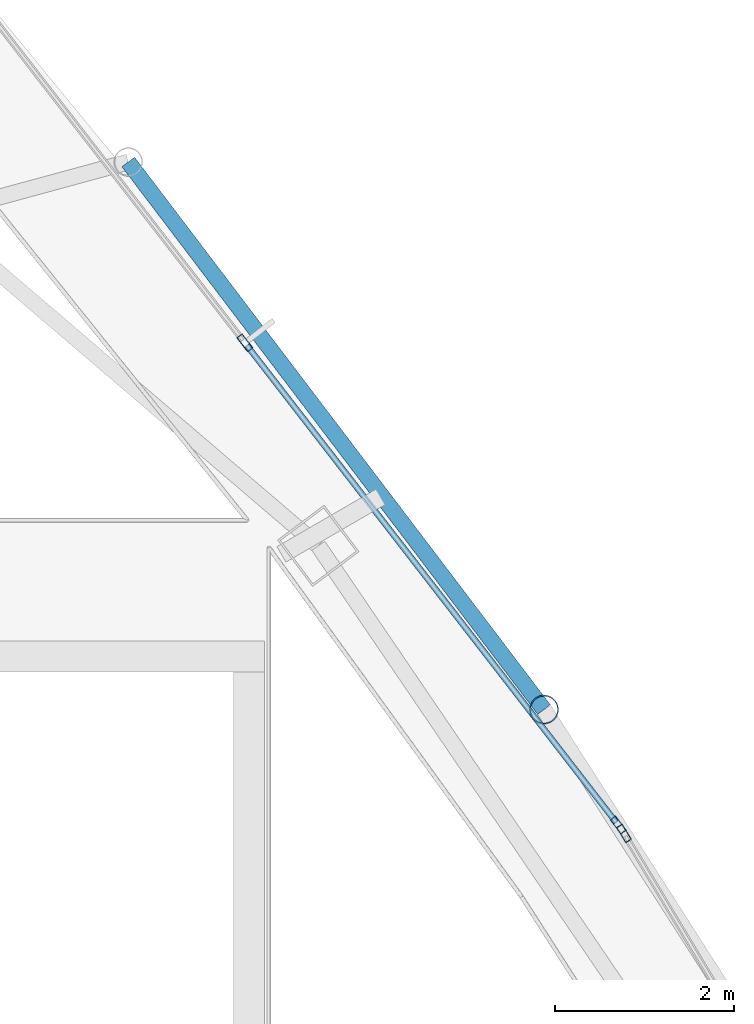
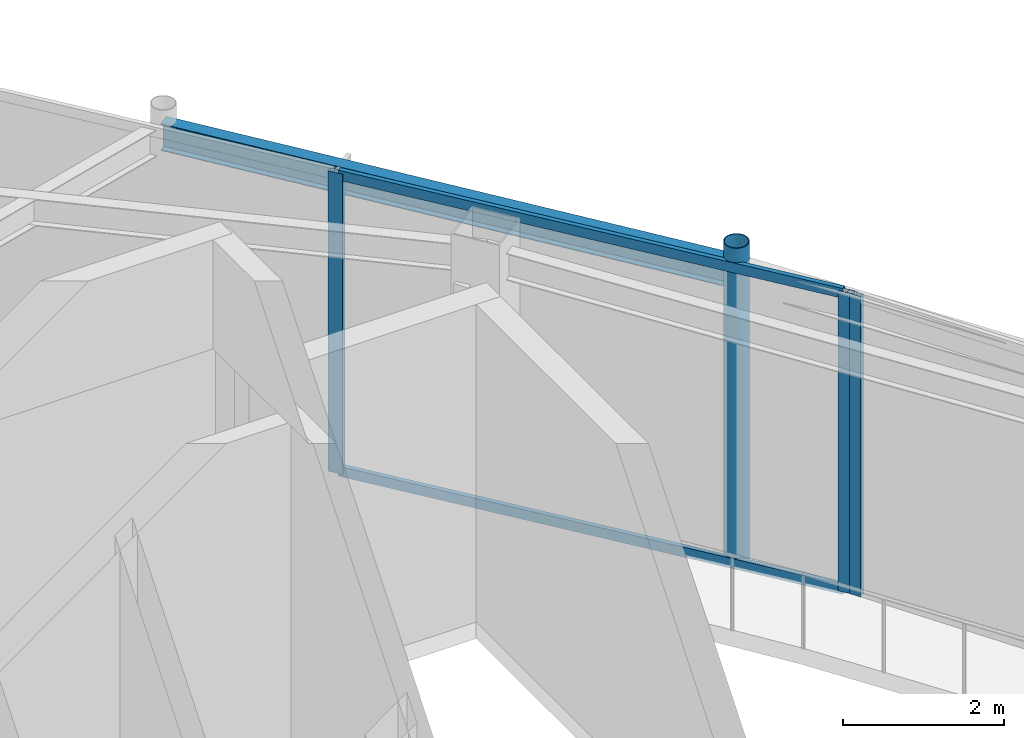
# One storey, part 10 of 18: 6 members, 1 beam, 2 elements without a shape of their own.
"""IFC4 building model written with IfcOpenShell, lengths in metres."""

from ifc_helpers import new_model, si_unit, direction, frame, origin, origin_2d, place, context, subcontext, project, spatial, hollow_rectangle, hollow_circle, i_section, extrude, material, layer, layer_set, material_profile, profile_set, type_object, element, aggregate, save


model = new_model("IFC4")

# Units and contexts
model_context = context("Model", 3, precision=1e-05, world=origin(), true_north=direction((0.0, 1.0)))
body_context = subcontext(model_context, "Body", "Model", "MODEL_VIEW")
ifc_project = project(units=[si_unit("LENGTHUNIT", "METRE"), si_unit("AREAUNIT", "SQUARE_METRE"), si_unit("VOLUMEUNIT", "CUBIC_METRE"), si_unit("PLANEANGLEUNIT", "RADIAN"), si_unit("MASSUNIT", "GRAM", prefix="KILO")], contexts=[model_context])

# Site, building, storey
site_placement = place(None, origin())
site = spatial("IfcSite", under=ifc_project, at=site_placement, CompositionType="ELEMENT")
building_placement = place(site_placement, origin())
building = spatial("IfcBuilding", under=site, at=building_placement, Name="Orvanel Arch Residences", CompositionType="ELEMENT")
storey_placement = place(building_placement, frame((0.0, 0.0, 310.10009765625)))
storey = spatial("IfcBuildingStorey", under=building, at=storey_placement, Name="L86", CompositionType="ELEMENT", Elevation=310.10009765625)

# Curtain wall, member
ifc_material_1 = material(Name="Bronze-anodised aluminium AA6063-T6", Category="aluminium")
ifc_layer = layer(ifc_material_1, 0.2099609375)
ifc_layer_set = layer_set([ifc_layer], Name="Bronze-anodised aluminium AA6063-T6")
curtain_wall_type = type_object("IfcCurtainWallType", Name="CW7-TOP-SYS", PredefinedType="NOTDEFINED", material=ifc_layer_set)
curtain_wall_1_placement = place(storey_placement, origin())
curtain_wall_1 = element("IfcCurtainWall", 1, at=curtain_wall_1_placement, inside=storey, type_object=curtain_wall_type, Name="L86 CW7-TOP-SYS Unitised Curtain Wall", PredefinedType="NOTDEFINED")
ifc_material_profile_1 = material_profile(ifc_material_1, hollow_rectangle(XDim=0.074951171875, YDim=0.199951171875, WallThickness=0.0048828125, at=origin_2d()), Name="ALU200x75x5")
ifc_profile_set_1 = profile_set([ifc_material_profile_1], Name="Bronze-anodised aluminium AA6063-T6")
member_type_1 = type_object("IfcMemberType", Name="MUL-200x75", PredefinedType="MULLION", material=ifc_profile_set_1)
member_1_placement = place(storey_placement, frame((43.773193359375, 31.892822265625, 0.0), z_axis=(0.0, 0.0, 1.0), x_axis=(-0.857522096821, -0.514447133788, 0.0)))
member_1 = element("IfcMember", 2, at=member_1_placement, type_object=member_type_1, Name="CW-S7 mullion 2", PredefinedType="MULLION", context=body_context, shape_type="SweptSolid", body=[
    extrude(hollow_rectangle(XDim=0.074951171875, YDim=0.199951171875, WallThickness=0.0048828125, at=origin_2d()), origin(), (0.0, 0.0, 1.0), 4.539794921875),
])
aggregate(curtain_wall_1, [member_1])

# Curtain wall, members
curtain_wall_2_placement = place(storey_placement, origin())
curtain_wall_2 = element("IfcCurtainWall", 3, at=curtain_wall_2_placement, inside=storey, type_object=curtain_wall_type, Name="L86 CW7-TOP-SYS Unitised Curtain Wall", PredefinedType="NOTDEFINED")
member_2_placement = place(storey_placement, frame((43.708984375, 31.987548828125, 0.0), z_axis=(0.0, 0.0, 1.0), x_axis=(-0.790656592833, -0.612259873102, 0.0)))
member_2 = element("IfcMember", 4, at=member_2_placement, type_object=member_type_1, Name="CW-S7 mullion 1", PredefinedType="MULLION", context=body_context, shape_type="SweptSolid", body=[
    extrude(hollow_rectangle(XDim=0.074951171875, YDim=0.199951171875, WallThickness=0.0048828125, at=origin_2d()), origin(), (0.0, 0.0, 1.0), 4.539794921875),
])
member_3_placement = place(storey_placement, frame((39.529541015625, 37.385009765625, 0.0), z_axis=(0.0, 0.0, 1.0), x_axis=(-0.790656592833, -0.612259873102, 0.0)))
member_3 = element("IfcMember", 5, at=member_3_placement, type_object=member_type_1, Name="CW-S7 mullion 2", PredefinedType="MULLION", context=body_context, shape_type="SweptSolid", body=[
    extrude(hollow_rectangle(XDim=0.074951171875, YDim=0.199951171875, WallThickness=0.0048828125, at=origin_2d()), origin(), (0.0, 0.0, 1.0), 4.539794921875),
])

# Beam
ifc_material_2 = material(Name="Structural steel AS/NZS 3679.1 Grade 300 (300 MPa)", Category="steel")
ifc_material_profile_2 = material_profile(ifc_material_2, i_section(OverallWidth=0.177978515625, OverallDepth=0.406005859375, WebThickness=0.0078125, FlangeThickness=0.0126953125, at=origin_2d()), Name="410UB59.7")
ifc_profile_set_2 = profile_set([ifc_material_profile_2], Name="Structural steel AS/NZS 3679.1 Grade 300 (300 MPa)")
beam_type = type_object("IfcBeamType", Name="OB-410UB-EXT", PredefinedType="SPANDREL", material=ifc_profile_set_2)
beam_placement = place(storey_placement, frame((42.87890625, 33.280029296875, 4.3369140625), z_axis=(-0.604759912546, 0.796407840354, 0.0), x_axis=(-0.796407840354, -0.604759912546, 0.0)))
element("IfcBeam", 6, at=beam_placement, inside=storey, type_object=beam_type, Name="L86 Outer Perimeter Floor Ring Beam 11", PredefinedType="SPANDREL", context=body_context, shape_type="SweptSolid", body=[
    extrude(i_section(OverallWidth=0.177978515625, OverallDepth=0.406005859375, WebThickness=0.0078125, FlangeThickness=0.0126953125, at=origin_2d()), origin(), (0.0, 0.0, 1.0), 7.697021484375),
])

# Member
ifc_material_3 = material(Name="Structural steel AS/NZS 1163 C350L0 (Grade 350)", Category="steel")
ifc_material_profile_3 = material_profile(ifc_material_3, hollow_circle(Radius=0.162109375, WallThickness=0.0126953125, at=origin_2d()), Name="CHS324x12.7")
ifc_profile_set_3 = profile_set([ifc_material_profile_3], Name="Structural steel AS/NZS 1163 C350L0 (Grade 350)")
member_type_2 = type_object("IfcMemberType", Name="ST-324CHS-EXT", PredefinedType="STRUT", material=ifc_profile_set_3)
member_4_placement = place(storey_placement, frame((42.87890625, 33.280029296875, 0.0), z_axis=(0.0, 0.0, 1.0), x_axis=(1.0, 0.0, 0.0)))
element("IfcMember", 7, at=member_4_placement, inside=storey, type_object=member_type_2, Name="L86 Outer Perimeter Frame Post 11", PredefinedType="STRUT", context=body_context, shape_type="SweptSolid", body=[
    extrude(hollow_circle(Radius=0.162109375, WallThickness=0.0126953125, at=origin_2d()), origin(), (0.0, 0.0, 1.0), 4.7998046875),
])

ifc_material_profile_4 = material_profile(ifc_material_1, hollow_rectangle(XDim=0.06494140625, YDim=0.14990234375, WallThickness=0.00390625, at=origin_2d()), Name="ALU150x65x4")
ifc_profile_set_4 = profile_set([ifc_material_profile_4], Name="Bronze-anodised aluminium AA6063-T6")
member_type_3 = type_object("IfcMemberType", Name="TRN-150x65", PredefinedType="USERDEFINED", material=ifc_profile_set_4)
member_5_placement = place(storey_placement, frame((43.68603515625, 32.017333984375, 0.032470703125), z_axis=(-0.612246853971, 0.790666674271, 0.0), x_axis=(-0.790666674271, -0.612246853971, 0.0)))
member_5 = element("IfcMember", 8, at=member_5_placement, type_object=member_type_3, Name="CW-S7 transom 1.1", ObjectType="TRANSOM", PredefinedType="USERDEFINED", context=body_context, shape_type="SweptSolid", body=[
    extrude(hollow_rectangle(XDim=0.06494140625, YDim=0.14990234375, WallThickness=0.00390625, at=origin_2d()), origin(), (0.0, 0.0, 1.0), 6.75146484375),
])

member_6_placement = place(storey_placement, frame((43.68603515625, 32.017333984375, 4.50732421875), z_axis=(-0.612246853971, 0.790666674271, 0.0), x_axis=(-0.790666674271, -0.612246853971, 0.0)))
member_6 = element("IfcMember", 9, at=member_6_placement, type_object=member_type_3, Name="CW-S7 transom 1.2", ObjectType="TRANSOM", PredefinedType="USERDEFINED", context=body_context, shape_type="SweptSolid", body=[
    extrude(hollow_rectangle(XDim=0.06494140625, YDim=0.14990234375, WallThickness=0.00390625, at=origin_2d()), origin(), (0.0, 0.0, 1.0), 6.75146484375),
])

aggregate(curtain_wall_2, [member_2, member_3, member_5, member_6])

save(model, "model.ifc")
